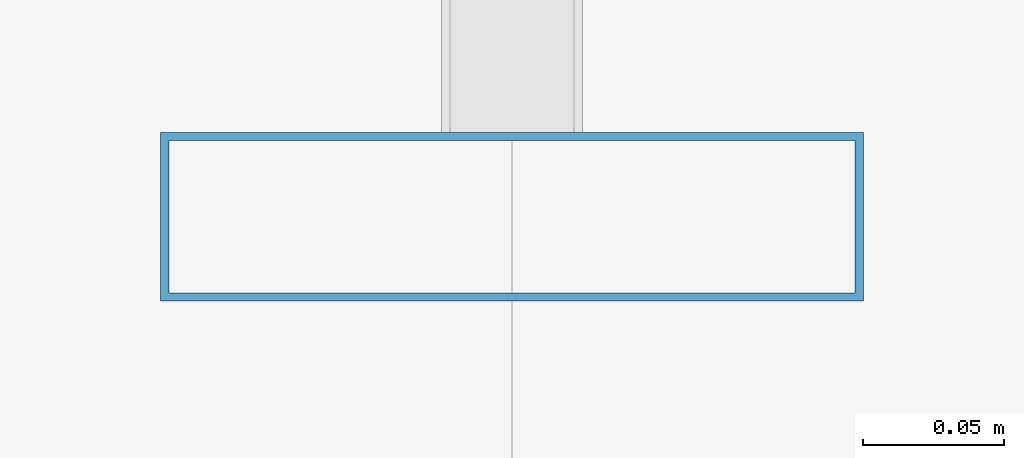
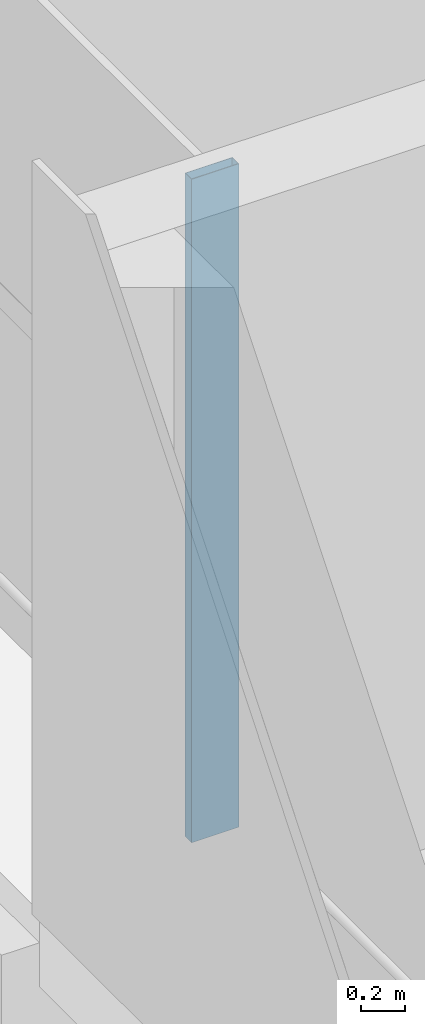
# One storey, part 7 of 17: 1 member, 1 element without a shape of its own.
"""IFC4 building model written with IfcOpenShell, lengths in metres."""

import ifcopenshell
import ifcopenshell.guid

model = None  # the IFC model being written
_history = None  # IfcOwnerHistory: only IFC2X3 demands one
_inside = {}  # id of a spatial element -> (the spatial element, [elements in it])
_under = {}  # id of a project, library or spatial element -> (it, [spatial elements below it])
_declared = {}  # id of a project -> (the project, [libraries it declares])
_typed = {}  # id of a type object -> (the type object, [elements of that type])
_made_of = {}  # id of a material, layer set ... -> (it, [elements and type objects made of it])


def new_model(schema):
    """Start an empty IFC model of exactly this schema.

    Asked for "IFC4X3", IfcOpenShell would pick the latest addendum, in which some entities
    have other attributes; the version numbers below select the first issue.
    IFC2X3 requires an IfcOwnerHistory on every rooted entity: one is made here for all.
    """
    global model, _history
    if schema == "IFC4X3":
        model = ifcopenshell.file(schema_version=(4, 3, 0, 0))
    else:
        model = ifcopenshell.file(schema=schema)
    _inside.clear()
    _under.clear()
    _declared.clear()
    _typed.clear()
    _made_of.clear()
    _history = None
    if model.schema == "IFC2X3":
        org = make("IfcOrganization", Name="unknown")
        user = make(
            "IfcPersonAndOrganization",
            ThePerson=make("IfcPerson", FamilyName="unknown"),
            TheOrganization=org,
        )
        app = make(
            "IfcApplication",
            ApplicationDeveloper=org,
            Version="unknown",
            ApplicationFullName="unknown",
            ApplicationIdentifier="unknown",
        )
        _history = make(
            "IfcOwnerHistory",
            OwningUser=user,
            OwningApplication=app,
            ChangeAction="ADDED",
            CreationDate=0,
        )
    return model


def make(cls, **values):
    """One entity of the class cls with the attributes given. An attribute that is None is left unset."""
    return model.create_entity(
        cls, **{name: value for name, value in values.items() if value is not None}
    )


def rooted(cls, **values):
    """An entity with a GlobalId (a new one), such as an element, a storey or a relation."""
    return make(cls, GlobalId=ifcopenshell.guid.new(), OwnerHistory=_history, **values)


def si_unit(unit_type, name, prefix=None):
    """IfcSIUnit, for example si_unit("LENGTHUNIT", "METRE", prefix="MILLI")."""
    return make("IfcSIUnit", UnitType=unit_type, Prefix=prefix, Name=name)


def assignment(units):
    """IfcUnitAssignment: the units of a project."""
    return None if units is None else make("IfcUnitAssignment", Units=units)


def point(xyz):
    """IfcCartesianPoint."""
    return None if xyz is None else make("IfcCartesianPoint", Coordinates=xyz)


def direction(xyz):
    """IfcDirection."""
    return None if xyz is None else make("IfcDirection", DirectionRatios=xyz)


def frame(location, z_axis=None, x_axis=None):
    """IfcAxis2Placement3D, a coordinate frame: its origin and axes. An axis left out is left unset."""
    return make(
        "IfcAxis2Placement3D",
        Location=point(location),
        Axis=direction(z_axis),
        RefDirection=direction(x_axis),
    )


def frame_2d(location, x_axis=None):
    """IfcAxis2Placement2D, a coordinate frame in the plane: its origin and x axis."""
    return make(
        "IfcAxis2Placement2D", Location=point(location), RefDirection=direction(x_axis)
    )


def origin():
    """The frame at (0, 0, 0) with its axes left unset."""
    return frame((0.0, 0.0, 0.0))


def origin_2d():
    """The frame at (0, 0) in the plane with its x axis left unset."""
    return frame_2d((0.0, 0.0))


def place(relative_to, where):
    """IfcLocalPlacement: puts the frame where relative to a parent placement (None: the world)."""
    return make(
        "IfcLocalPlacement", PlacementRelTo=relative_to, RelativePlacement=where
    )


def context(
    kind, dimensions, precision=None, world=None, true_north=None, identifier=None
):
    """IfcGeometricRepresentationContext, for example the 3D "Model" context."""
    return make(
        "IfcGeometricRepresentationContext",
        ContextIdentifier=identifier,
        ContextType=kind,
        CoordinateSpaceDimension=dimensions,
        Precision=precision,
        WorldCoordinateSystem=world,
        TrueNorth=true_north,
    )


def subcontext(parent, identifier, kind, view, scale=None):
    """IfcGeometricRepresentationSubContext, for example "Body" below "Model"."""
    return make(
        "IfcGeometricRepresentationSubContext",
        ContextIdentifier=identifier,
        ContextType=kind,
        ParentContext=parent,
        TargetScale=scale,
        TargetView=view,
    )


def project(units=None, contexts=None):
    """IfcProject with its units and contexts."""
    return rooted(
        "IfcProject",
        Name="project",
        RepresentationContexts=contexts,
        UnitsInContext=assignment(units),
    )


def spatial(cls, under=None, at=None, **own):
    """A site, building, storey or space (cls), placed at a placement, below another one or the project."""
    s = rooted(cls, ObjectPlacement=at, **own)
    if under is not None:
        _under.setdefault(under.id(), (under, []))[1].append(s)
    return s


def profile(cls, at=None, kind="AREA", **sizes):
    """A parametric profile (cls). Its sizes go by their IFC names, for example OverallWidth=200.0."""
    return make(cls, ProfileType=kind, Position=at, **sizes)


def hollow_rectangle(**sizes):
    """IfcRectangleHollowProfileDef."""
    return profile("IfcRectangleHollowProfileDef", **sizes)


def extrude(swept, where, along, depth):
    """IfcExtrudedAreaSolid: the profile swept, set in the frame where, extruded along a direction by depth."""
    return make(
        "IfcExtrudedAreaSolid",
        SweptArea=swept,
        Position=where,
        ExtrudedDirection=direction(along),
        Depth=depth,
    )


def shape(context_of_items, identifier, shape_type, items):
    """IfcShapeRepresentation: the items that make up one representation, for example the "Body"."""
    return make(
        "IfcShapeRepresentation",
        ContextOfItems=context_of_items,
        RepresentationIdentifier=identifier,
        RepresentationType=shape_type,
        Items=items,
    )


def material(Name=None, Category=None):
    """IfcMaterial."""
    return make("IfcMaterial", Name=Name, Category=Category)


def material_profile(
    of_material, cross_section, Name=None, Category=None, Priority=None
):
    """IfcMaterialProfile: a cross section and its material."""
    return make(
        "IfcMaterialProfile",
        Name=Name,
        Material=of_material,
        Profile=cross_section,
        Priority=Priority,
        Category=Category,
    )


def profile_set(profiles, Name=None, composite=None):
    """IfcMaterialProfileSet."""
    return make(
        "IfcMaterialProfileSet",
        Name=Name,
        MaterialProfiles=profiles,
        CompositeProfile=composite,
    )


def made_of(thing, what):
    """Note that an element or type object is made of a material, layer set ...; save() writes the relation."""
    if what is not None:
        _made_of.setdefault(what.id(), (what, []))[1].append(thing)
    return thing


def type_object(cls, material=None, **own):
    """A type object (cls), such as IfcWallType, which elements share."""
    return made_of(rooted(cls, **own), material)


def element(
    cls,
    number,
    at=None,
    inside=None,
    cuts=None,
    type_object=None,
    material=None,
    context=None,
    identifier="Body",
    shape_type=None,
    held_by="IfcProductDefinitionShape",
    body=None,
    shapes=None,
    **own,
):
    """One element of the class cls, such as IfcWall. Its Tag is "e" and its number.

    at: its placement. inside: the storey or other place that contains it. cuts: it is an
    opening in that element (IfcRelVoidsElement). A single representation is given by context,
    identifier, shape_type and body (its items); several are given by shapes. held_by: the class
    of the entity that holds the representations. save() writes the other relations.
    """
    e = rooted(cls, Tag="e%d" % number, ObjectPlacement=at, **own)
    if body is not None:
        shapes = [shape(context, identifier, shape_type, body)]
    if shapes is not None:
        e.Representation = make(held_by, Representations=shapes)
    if inside is not None:
        _inside.setdefault(inside.id(), (inside, []))[1].append(e)
    if cuts is not None:
        rooted(
            "IfcRelVoidsElement", RelatingBuildingElement=cuts, RelatedOpeningElement=e
        )
    if type_object is not None:
        _typed.setdefault(type_object.id(), (type_object, []))[1].append(e)
    return made_of(e, material)


def aggregate(whole, parts):
    """IfcRelAggregates: a whole, such as a stair, and the parts it consists of."""
    return rooted("IfcRelAggregates", RelatingObject=whole, RelatedObjects=parts)


def save(model, path):
    """Write the relations noted so far, then the file.

    IfcRelAggregates (storeys below a building ...), IfcRelContainedInSpatialStructure (elements
    in a storey), IfcRelDefinesByType, IfcRelAssociatesMaterial and IfcRelDeclares: one each for
    every whole, place, type object, material and project.
    """
    for whole, parts in _under.values():
        aggregate(whole, parts)
    for where, things in _inside.values():
        rooted(
            "IfcRelContainedInSpatialStructure",
            RelatedElements=things,
            RelatingStructure=where,
        )
    for kind, things in _typed.values():
        rooted("IfcRelDefinesByType", RelatedObjects=things, RelatingType=kind)
    for what, things in _made_of.values():
        rooted("IfcRelAssociatesMaterial", RelatedObjects=things, RelatingMaterial=what)
    for by, libraries in _declared.values():
        rooted("IfcRelDeclares", RelatingContext=by, RelatedDefinitions=libraries)
    model.write(path)


model = new_model("IFC4")

# Units and contexts
model_context = context("Model", 3, precision=1e-05, world=origin(), true_north=direction((0.0, 1.0)))
body_context = subcontext(model_context, "Body", "Model", "MODEL_VIEW")
ifc_project = project(units=[si_unit("LENGTHUNIT", "METRE"), si_unit("AREAUNIT", "SQUARE_METRE"), si_unit("VOLUMEUNIT", "CUBIC_METRE"), si_unit("PLANEANGLEUNIT", "RADIAN"), si_unit("MASSUNIT", "GRAM", prefix="KILO")], contexts=[model_context])

# Site, building, storey
site_placement = place(None, origin())
site = spatial("IfcSite", under=ifc_project, at=site_placement, CompositionType="ELEMENT")
building_placement = place(site_placement, origin())
building = spatial("IfcBuilding", under=site, at=building_placement, Name="Altepetl Exchange Towers", CompositionType="ELEMENT")
storey_placement = place(building_placement, frame((0.0, 0.0, 259.39990234375)))
storey = spatial("IfcBuildingStorey", under=building, at=storey_placement, Name="L66", CompositionType="ELEMENT", Elevation=259.39990234375)

# Curtain wall, member
ifc_material_1 = material(Name="Aluminium 6063-T6 glazing", Category="aluminium")
curtain_wall_type = type_object("IfcCurtainWallType", Name="Executive flush glazing system", PredefinedType="NOTDEFINED", material=ifc_material_1)
curtain_wall_placement = place(storey_placement, origin())
curtain_wall = element("IfcCurtainWall", 1, at=curtain_wall_placement, inside=storey, type_object=curtain_wall_type, Name="CW4 run", PredefinedType="NOTDEFINED")
ifc_material_2 = material(Name="Aluminium 6063-T6", Category="aluminium")
ifc_material_profile = material_profile(ifc_material_2, hollow_rectangle(XDim=0.06005859375, YDim=0.25, WallThickness=0.0029296875, at=origin_2d()), Name="Mullion 60x250 hollow aluminium")
ifc_profile_set = profile_set([ifc_material_profile], Name="Aluminium 6063-T6")
member_type = type_object("IfcMemberType", Name="Mullion 60x250 hollow aluminium", PredefinedType="MULLION", material=ifc_profile_set)
member_placement = place(storey_placement, frame((41.5, 58.655029296875, 0.0), z_axis=(0.0, 0.0, 1.0), x_axis=(0.0, -1.0, 0.0)))
member = element("IfcMember", 2, at=member_placement, type_object=member_type, Name="MU3 mullion", PredefinedType="MULLION", context=body_context, shape_type="SweptSolid", body=[
    extrude(hollow_rectangle(XDim=0.06005859375, YDim=0.25, WallThickness=0.0029296875, at=origin_2d()), origin(), (0.0, 0.0, 1.0), 3.7001953125),
])
aggregate(curtain_wall, [member])

save(model, "model.ifc")
